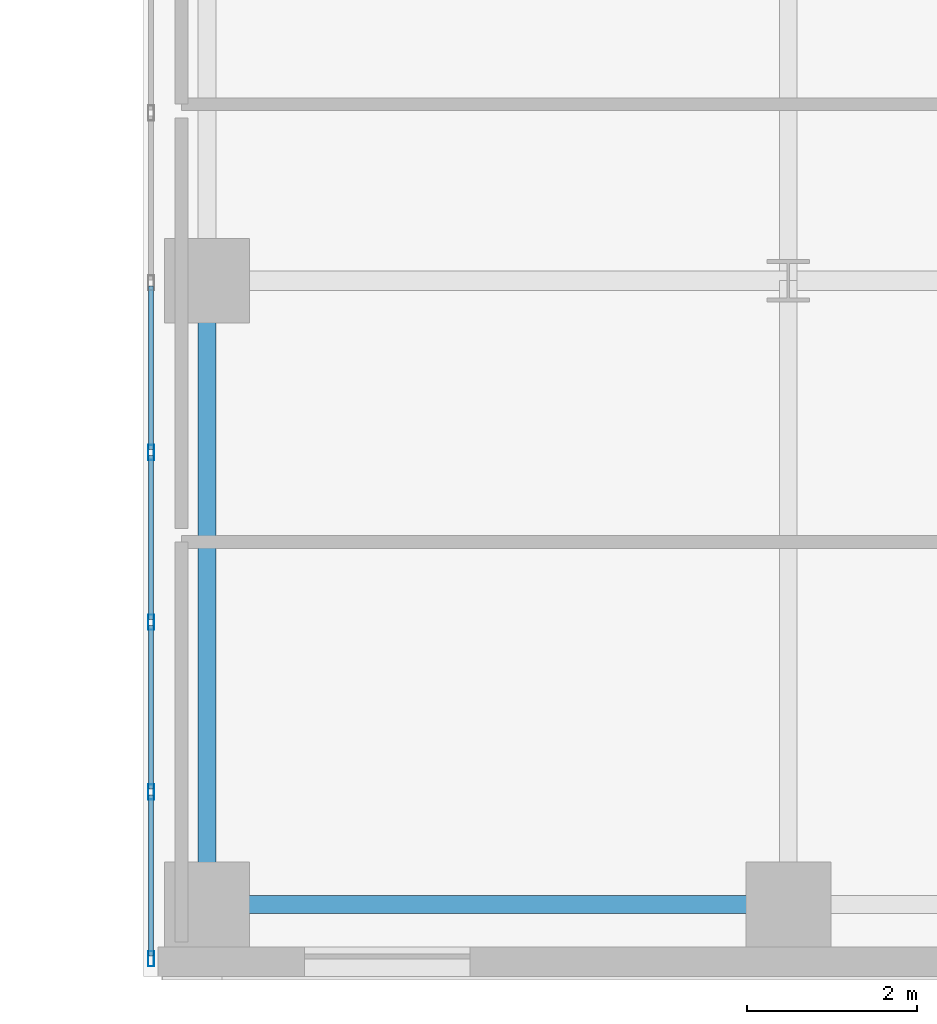
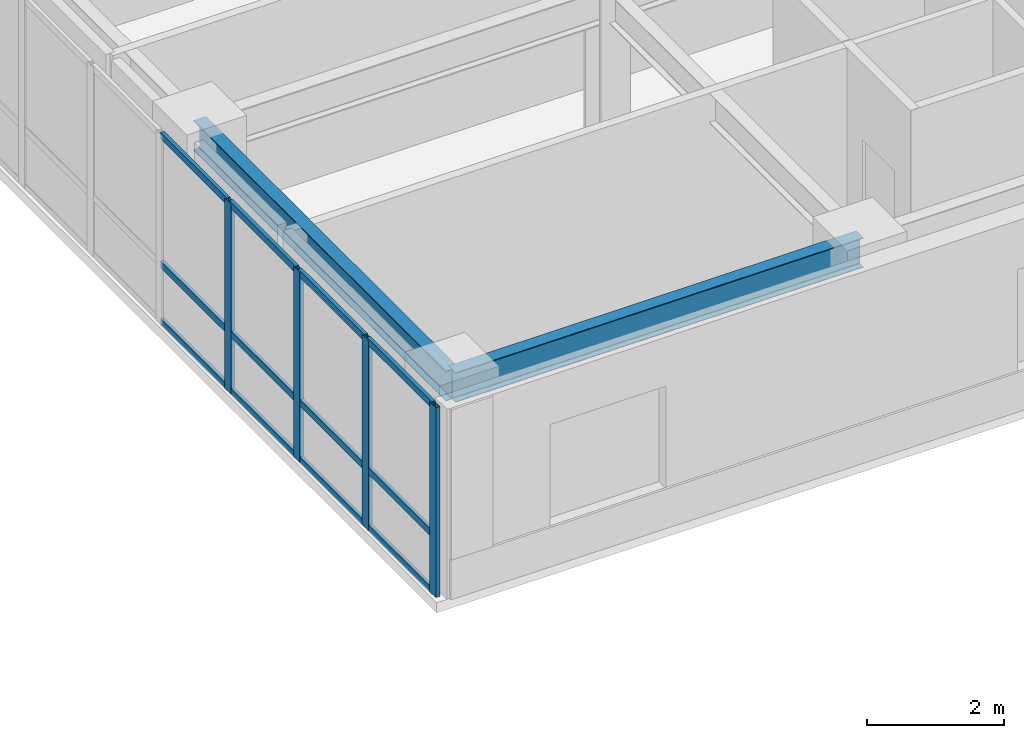
# One storey, part 7 of 25: 16 members, 2 beams, 1 element without a shape of its own.
"""IFC4 building model written with IfcOpenShell, lengths in metres."""

from ifc_helpers import new_model, si_unit, direction, frame, origin, origin_2d, place, context, subcontext, project, spatial, hollow_rectangle, i_section, extrude, source, transform, mapped, material, layer, layer_set, material_profile, profile_set, type_object, type_shapes, element, aggregate, save


model = new_model("IFC4")

# Units and contexts
model_context = context("Model", 3, precision=1e-05, world=origin(), true_north=direction((0.0, 1.0)))
body_context = subcontext(model_context, "Body", "Model", "MODEL_VIEW")
ifc_project = project(units=[si_unit("LENGTHUNIT", "METRE"), si_unit("AREAUNIT", "SQUARE_METRE"), si_unit("VOLUMEUNIT", "CUBIC_METRE"), si_unit("PLANEANGLEUNIT", "RADIAN"), si_unit("MASSUNIT", "GRAM", prefix="KILO")], contexts=[model_context])

# Site, building, storey
site_placement = place(None, origin())
site = spatial("IfcSite", under=ifc_project, at=site_placement, CompositionType="ELEMENT")
building_placement = place(site_placement, origin())
building = spatial("IfcBuilding", under=site, at=building_placement, Name="Tolvann Quenvar Hotel", CompositionType="ELEMENT")
storey_placement = place(building_placement, frame((0.0, 0.0, 46.199951171875)))
storey = spatial("IfcBuildingStorey", under=building, at=storey_placement, Name="L10", CompositionType="ELEMENT", Elevation=46.199951171875)

# Beams
ifc_material_1 = material(Name="Steel Grade 350", Category="steel")
ifc_material_profile_1 = material_profile(ifc_material_1, i_section(OverallWidth=0.208984375, OverallDepth=0.528076171875, WebThickness=0.009521484375, FlangeThickness=0.01318359375, FilletRadius=0.013916015625, at=origin_2d()), Name="530UB82")
ifc_profile_set_1 = profile_set([ifc_material_profile_1], Name="Steel Grade 350")
beam_type_1 = type_object("IfcBeamType", Name="BM_SPAND_530UB82", PredefinedType="SPANDREL", material=ifc_profile_set_1)
shared_shape_1 = source(origin(), body_context, "Body", "SweptSolid", [
    extrude(i_section(OverallWidth=0.208984375, OverallDepth=0.528076171875, WebThickness=0.009521484375, FlangeThickness=0.01318359375, FilletRadius=0.013916015625, at=origin_2d()), origin(), (0.0, 0.0, 1.0), 6.85009765625),
])
type_shapes(beam_type_1, [shared_shape_1])
beam_1_placement = place(storey_placement, frame((34.949951171875, 0.85009765625, 3.10595703125), z_axis=(1.0, 0.0, 0.0), x_axis=(0.0, 1.0, 0.0)))
element("IfcBeam", 1, at=beam_1_placement, inside=storey, type_object=beam_type_1, Name="BM-L10-EW-2-F2-H2", PredefinedType="SPANDREL", context=body_context, shape_type="MappedRepresentation", body=[
    mapped(shared_shape_1, transform((0.0, 0.0, 0.0), x_axis=(1.0, 0.0, 0.0), y_axis=(0.0, 1.0, 0.0), z_axis=(0.0, 0.0, 1.0), scale=1.0)),
])
ifc_material_profile_2 = material_profile(ifc_material_1, i_section(OverallWidth=0.208984375, OverallDepth=0.532958984375, WebThickness=0.01025390625, FlangeThickness=0.015625, FilletRadius=0.013916015625, at=origin_2d()), Name="530UB92")
ifc_profile_set_2 = profile_set([ifc_material_profile_2], Name="Steel Grade 350")
beam_type_2 = type_object("IfcBeamType", Name="BM_GIRD_530UB92", PredefinedType="BEAM", material=ifc_profile_set_2)
shared_shape_2 = source(origin(), body_context, "Body", "SweptSolid", [
    extrude(i_section(OverallWidth=0.208984375, OverallDepth=0.532958984375, WebThickness=0.01025390625, FlangeThickness=0.015625, FilletRadius=0.013916015625, at=origin_2d()), origin(), (0.0, 0.0, 1.0), 7.349853515625),
])
type_shapes(beam_type_2, [shared_shape_2])
beam_2_placement = place(storey_placement, frame((34.949951171875, 0.85009765625, 3.103515625), z_axis=(0.0, 1.0, 0.0), x_axis=(-1.0, 0.0, 0.0)))
element("IfcBeam", 2, at=beam_2_placement, inside=storey, type_object=beam_type_2, Name="BM-L10-NS-F2-F3", PredefinedType="BEAM", context=body_context, shape_type="MappedRepresentation", body=[
    mapped(shared_shape_2, transform((0.0, 0.0, 0.0), x_axis=(1.0, 0.0, 0.0), y_axis=(0.0, 1.0, 0.0), z_axis=(0.0, 0.0, 1.0), scale=1.0)),
])

# Curtain wall, members
ifc_material_2 = material(Name="Thermally broken anodised architectural aluminium 6063-T6 and laminated low-E glass", Category="aluminium")
ifc_layer = layer(ifc_material_2, 0.179931640625)
ifc_layer_set = layer_set([ifc_layer], Name="Thermally broken anodised architectural aluminium 6063-T6 and laminated low-E glass")
curtain_wall_type = type_object("IfcCurtainWallType", Name="CW_SYS_SLOT_03", PredefinedType="USERDEFINED", material=ifc_layer_set)
curtain_wall_placement = place(storey_placement, origin())
curtain_wall = element("IfcCurtainWall", 3, at=curtain_wall_placement, inside=storey, type_object=curtain_wall_type, Name="Curtain Wall CW-SLOT-03 (CWR-L10-E07)", ObjectType="UNITISED CURTAIN WALL", PredefinedType="USERDEFINED")
ifc_material_3 = material(Name="Anodised architectural aluminium 6063-T6 framing", Category="aluminium")
ifc_material_profile_3 = material_profile(ifc_material_3, hollow_rectangle(XDim=0.070068359375, YDim=0.179931640625, WallThickness=0.00390625, at=origin_2d()), Name="180x70x4RHS")
ifc_profile_set_3 = profile_set([ifc_material_profile_3], Name="Anodised architectural aluminium 6063-T6 framing")
member_type_1 = type_object("IfcMemberType", Name="CW_MULL_180x70", PredefinedType="MULLION", material=ifc_profile_set_3)
shared_shape_3 = source(origin(), body_context, "Body", "SweptSolid", [
    extrude(hollow_rectangle(XDim=0.070068359375, YDim=0.179931640625, WallThickness=0.00390625, at=origin_2d()), origin(), (0.0, 0.0, 1.0), 3.3701171875),
])
type_shapes(member_type_1, [shared_shape_3])
member_1_placement = place(storey_placement, frame((34.2900390625, 6.175048828125, 0.0), z_axis=(0.0, 0.0, 1.0), x_axis=(1.0, 0.0, 0.0)))
member_1 = element("IfcMember", 4, at=member_1_placement, type_object=member_type_1, Name="CW-SLOT-03 mullion 6", PredefinedType="MULLION", context=body_context, shape_type="MappedRepresentation", body=[
    mapped(shared_shape_3, transform((0.0, 0.0, 0.0), x_axis=(1.0, 0.0, 0.0), y_axis=(0.0, 1.0, 0.0), z_axis=(0.0, 0.0, 1.0), scale=1.0)),
])
member_2_placement = place(storey_placement, frame((34.2900390625, 4.175048828125, 0.0), z_axis=(0.0, 0.0, 1.0), x_axis=(1.0, 0.0, 0.0)))
member_2 = element("IfcMember", 5, at=member_2_placement, type_object=member_type_1, Name="CW-SLOT-03 mullion 7", PredefinedType="MULLION", context=body_context, shape_type="MappedRepresentation", body=[
    mapped(shared_shape_3, transform((0.0, 0.0, 0.0), x_axis=(1.0, 0.0, 0.0), y_axis=(0.0, 1.0, 0.0), z_axis=(0.0, 0.0, 1.0), scale=1.0)),
])
member_3_placement = place(storey_placement, frame((34.2900390625, 2.175048828125, 0.0), z_axis=(0.0, 0.0, 1.0), x_axis=(1.0, 0.0, 0.0)))
member_3 = element("IfcMember", 6, at=member_3_placement, type_object=member_type_1, Name="CW-SLOT-03 mullion 8", PredefinedType="MULLION", context=body_context, shape_type="MappedRepresentation", body=[
    mapped(shared_shape_3, transform((0.0, 0.0, 0.0), x_axis=(1.0, 0.0, 0.0), y_axis=(0.0, 1.0, 0.0), z_axis=(0.0, 0.0, 1.0), scale=1.0)),
])
member_4_placement = place(storey_placement, frame((34.2900390625, 0.2099609375, 0.0), z_axis=(0.0, 0.0, 1.0), x_axis=(1.0, 0.0, 0.0)))
member_4 = element("IfcMember", 7, at=member_4_placement, type_object=member_type_1, Name="CW-SLOT-03 mullion 9", PredefinedType="MULLION", context=body_context, shape_type="MappedRepresentation", body=[
    mapped(shared_shape_3, transform((0.0, 0.0, 0.0), x_axis=(1.0, 0.0, 0.0), y_axis=(0.0, 1.0, 0.0), z_axis=(0.0, 0.0, 1.0), scale=1.0)),
])
ifc_material_profile_4 = material_profile(ifc_material_3, hollow_rectangle(XDim=0.06005859375, YDim=0.1201171875, WallThickness=0.00341796875, at=origin_2d()), Name="120x60x3.5RHS")
ifc_profile_set_4 = profile_set([ifc_material_profile_4], Name="Anodised architectural aluminium 6063-T6 framing")
member_type_2 = type_object("IfcMemberType", Name="CW_TRAN_120x60", PredefinedType="USERDEFINED", material=ifc_profile_set_4)
shared_shape_4 = source(origin(), body_context, "Body", "SweptSolid", [
    extrude(hollow_rectangle(XDim=0.06005859375, YDim=0.1201171875, WallThickness=0.00341796875, at=origin_2d()), origin(), (0.0, 0.0, 1.0), 1.894775390625),
])
member_5_placement = place(storey_placement, frame((34.2900390625, 2.139892578125, 0.030029296875), z_axis=(0.0, -1.0, 0.0), x_axis=(1.0, 0.0, 0.0)))
member_5 = element("IfcMember", 8, at=member_5_placement, type_object=member_type_2, Name="CW-SLOT-03 transom 8.1", ObjectType="TRANSOM", PredefinedType="USERDEFINED", context=body_context, shape_type="MappedRepresentation", body=[
    mapped(shared_shape_4, transform((0.0, 0.0, 0.0), x_axis=(1.0, 0.0, 0.0), y_axis=(0.0, 1.0, 0.0), z_axis=(0.0, 0.0, 1.0), scale=1.0)),
])
member_6_placement = place(storey_placement, frame((34.2900390625, 2.139892578125, 1.050048828125), z_axis=(0.0, -1.0, 0.0), x_axis=(1.0, 0.0, 0.0)))
member_6 = element("IfcMember", 9, at=member_6_placement, type_object=member_type_2, Name="CW-SLOT-03 transom 8.2", ObjectType="TRANSOM", PredefinedType="USERDEFINED", context=body_context, shape_type="MappedRepresentation", body=[
    mapped(shared_shape_4, transform((0.0, 0.0, 0.0), x_axis=(1.0, 0.0, 0.0), y_axis=(0.0, 1.0, 0.0), z_axis=(0.0, 0.0, 1.0), scale=1.0)),
])
member_7_placement = place(storey_placement, frame((34.2900390625, 2.139892578125, 3.340087890625), z_axis=(0.0, -1.0, 0.0), x_axis=(1.0, 0.0, 0.0)))
member_7 = element("IfcMember", 10, at=member_7_placement, type_object=member_type_2, Name="CW-SLOT-03 transom 8.3", ObjectType="TRANSOM", PredefinedType="USERDEFINED", context=body_context, shape_type="MappedRepresentation", body=[
    mapped(shared_shape_4, transform((0.0, 0.0, 0.0), x_axis=(1.0, 0.0, 0.0), y_axis=(0.0, 1.0, 0.0), z_axis=(0.0, 0.0, 1.0), scale=1.0)),
])
shared_shape_5 = source(origin(), body_context, "Body", "SweptSolid", [
    extrude(hollow_rectangle(XDim=0.06005859375, YDim=0.1201171875, WallThickness=0.00341796875, at=origin_2d()), origin(), (0.0, 0.0, 1.0), 1.929931640625),
])
type_shapes(member_type_2, [shared_shape_4, shared_shape_5])
member_8_placement = place(storey_placement, frame((34.2900390625, 8.139892578125, 0.030029296875), z_axis=(0.0, -1.0, 0.0), x_axis=(1.0, 0.0, 0.0)))
member_8 = element("IfcMember", 11, at=member_8_placement, type_object=member_type_2, Name="CW-SLOT-03 transom 5.1", ObjectType="TRANSOM", PredefinedType="USERDEFINED", context=body_context, shape_type="MappedRepresentation", body=[
    mapped(shared_shape_5, transform((0.0, 0.0, 0.0), x_axis=(1.0, 0.0, 0.0), y_axis=(0.0, 1.0, 0.0), z_axis=(0.0, 0.0, 1.0), scale=1.0)),
])
member_9_placement = place(storey_placement, frame((34.2900390625, 8.139892578125, 1.050048828125), z_axis=(0.0, -1.0, 0.0), x_axis=(1.0, 0.0, 0.0)))
member_9 = element("IfcMember", 12, at=member_9_placement, type_object=member_type_2, Name="CW-SLOT-03 transom 5.2", ObjectType="TRANSOM", PredefinedType="USERDEFINED", context=body_context, shape_type="MappedRepresentation", body=[
    mapped(shared_shape_5, transform((0.0, 0.0, 0.0), x_axis=(1.0, 0.0, 0.0), y_axis=(0.0, 1.0, 0.0), z_axis=(0.0, 0.0, 1.0), scale=1.0)),
])
member_10_placement = place(storey_placement, frame((34.2900390625, 8.139892578125, 3.340087890625), z_axis=(0.0, -1.0, 0.0), x_axis=(1.0, 0.0, 0.0)))
member_10 = element("IfcMember", 13, at=member_10_placement, type_object=member_type_2, Name="CW-SLOT-03 transom 5.3", ObjectType="TRANSOM", PredefinedType="USERDEFINED", context=body_context, shape_type="MappedRepresentation", body=[
    mapped(shared_shape_5, transform((0.0, 0.0, 0.0), x_axis=(1.0, 0.0, 0.0), y_axis=(0.0, 1.0, 0.0), z_axis=(0.0, 0.0, 1.0), scale=1.0)),
])
member_11_placement = place(storey_placement, frame((34.2900390625, 6.139892578125, 0.030029296875), z_axis=(0.0, -1.0, 0.0), x_axis=(1.0, 0.0, 0.0)))
member_11 = element("IfcMember", 14, at=member_11_placement, type_object=member_type_2, Name="CW-SLOT-03 transom 6.1", ObjectType="TRANSOM", PredefinedType="USERDEFINED", context=body_context, shape_type="MappedRepresentation", body=[
    mapped(shared_shape_5, transform((0.0, 0.0, 0.0), x_axis=(1.0, 0.0, 0.0), y_axis=(0.0, 1.0, 0.0), z_axis=(0.0, 0.0, 1.0), scale=1.0)),
])
member_12_placement = place(storey_placement, frame((34.2900390625, 6.139892578125, 1.050048828125), z_axis=(0.0, -1.0, 0.0), x_axis=(1.0, 0.0, 0.0)))
member_12 = element("IfcMember", 15, at=member_12_placement, type_object=member_type_2, Name="CW-SLOT-03 transom 6.2", ObjectType="TRANSOM", PredefinedType="USERDEFINED", context=body_context, shape_type="MappedRepresentation", body=[
    mapped(shared_shape_5, transform((0.0, 0.0, 0.0), x_axis=(1.0, 0.0, 0.0), y_axis=(0.0, 1.0, 0.0), z_axis=(0.0, 0.0, 1.0), scale=1.0)),
])
member_13_placement = place(storey_placement, frame((34.2900390625, 6.139892578125, 3.340087890625), z_axis=(0.0, -1.0, 0.0), x_axis=(1.0, 0.0, 0.0)))
member_13 = element("IfcMember", 16, at=member_13_placement, type_object=member_type_2, Name="CW-SLOT-03 transom 6.3", ObjectType="TRANSOM", PredefinedType="USERDEFINED", context=body_context, shape_type="MappedRepresentation", body=[
    mapped(shared_shape_5, transform((0.0, 0.0, 0.0), x_axis=(1.0, 0.0, 0.0), y_axis=(0.0, 1.0, 0.0), z_axis=(0.0, 0.0, 1.0), scale=1.0)),
])
member_14_placement = place(storey_placement, frame((34.2900390625, 4.139892578125, 0.030029296875), z_axis=(0.0, -1.0, 0.0), x_axis=(1.0, 0.0, 0.0)))
member_14 = element("IfcMember", 17, at=member_14_placement, type_object=member_type_2, Name="CW-SLOT-03 transom 7.1", ObjectType="TRANSOM", PredefinedType="USERDEFINED", context=body_context, shape_type="MappedRepresentation", body=[
    mapped(shared_shape_5, transform((0.0, 0.0, 0.0), x_axis=(1.0, 0.0, 0.0), y_axis=(0.0, 1.0, 0.0), z_axis=(0.0, 0.0, 1.0), scale=1.0)),
])
member_15_placement = place(storey_placement, frame((34.2900390625, 4.139892578125, 1.050048828125), z_axis=(0.0, -1.0, 0.0), x_axis=(1.0, 0.0, 0.0)))
member_15 = element("IfcMember", 18, at=member_15_placement, type_object=member_type_2, Name="CW-SLOT-03 transom 7.2", ObjectType="TRANSOM", PredefinedType="USERDEFINED", context=body_context, shape_type="MappedRepresentation", body=[
    mapped(shared_shape_5, transform((0.0, 0.0, 0.0), x_axis=(1.0, 0.0, 0.0), y_axis=(0.0, 1.0, 0.0), z_axis=(0.0, 0.0, 1.0), scale=1.0)),
])
member_16_placement = place(storey_placement, frame((34.2900390625, 4.139892578125, 3.340087890625), z_axis=(0.0, -1.0, 0.0), x_axis=(1.0, 0.0, 0.0)))
member_16 = element("IfcMember", 19, at=member_16_placement, type_object=member_type_2, Name="CW-SLOT-03 transom 7.3", ObjectType="TRANSOM", PredefinedType="USERDEFINED", context=body_context, shape_type="MappedRepresentation", body=[
    mapped(shared_shape_5, transform((0.0, 0.0, 0.0), x_axis=(1.0, 0.0, 0.0), y_axis=(0.0, 1.0, 0.0), z_axis=(0.0, 0.0, 1.0), scale=1.0)),
])
aggregate(curtain_wall, [member_1, member_2, member_3, member_4, member_8, member_9, member_10, member_11, member_12, member_13, member_14, member_15, member_16, member_5, member_6, member_7])

save(model, "model.ifc")
